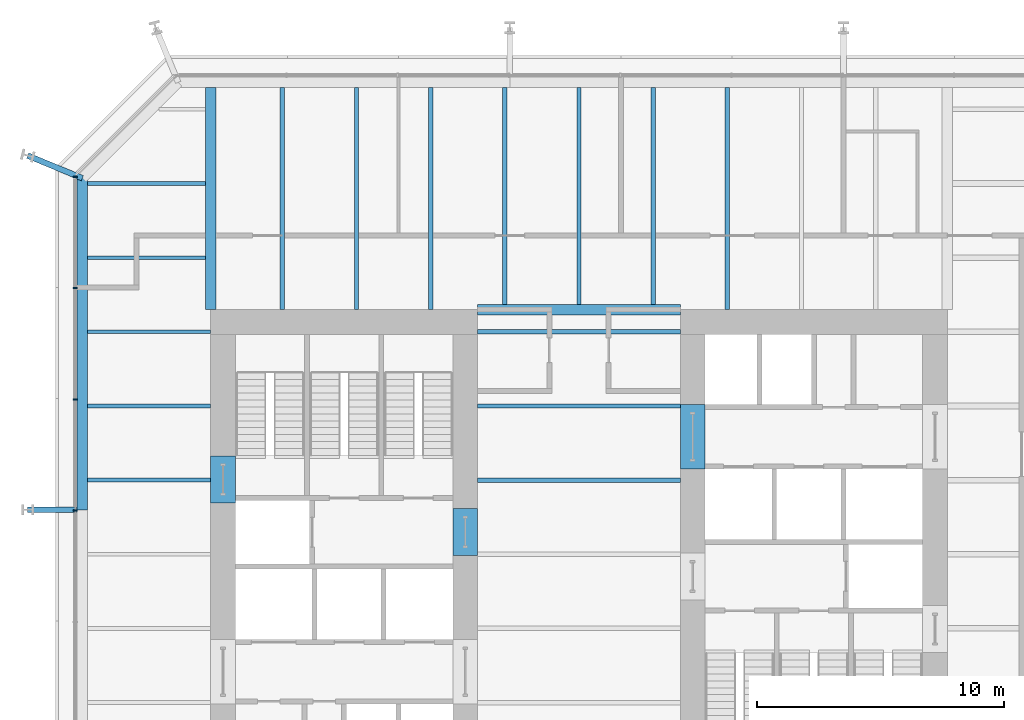
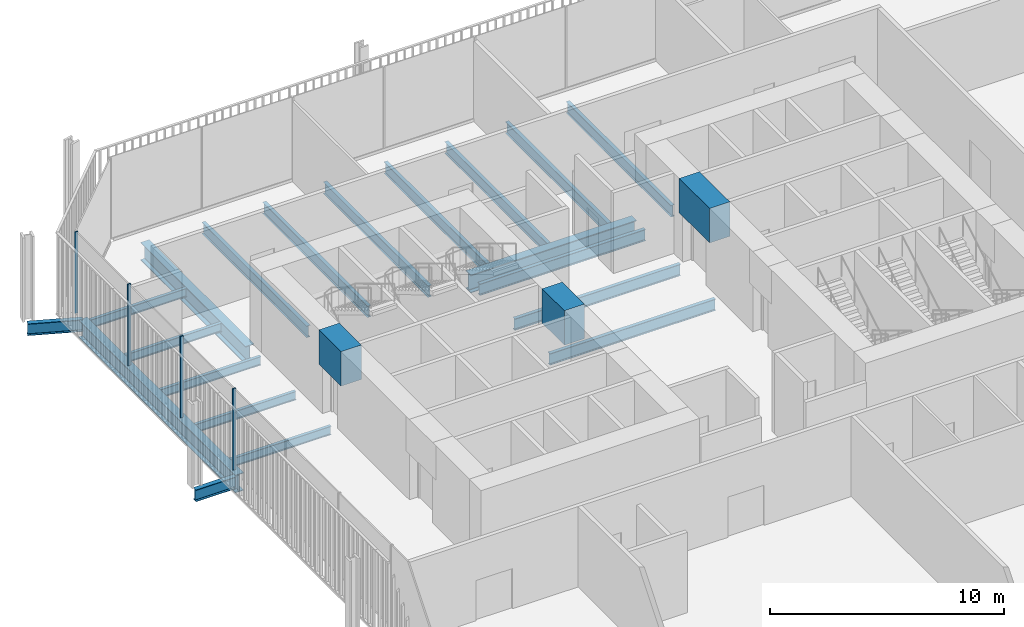
# One storey, part 11 of 20: 23 beams, 4 members, 1 element without a shape of its own.
"""IFC4 building model written with IfcOpenShell, lengths in metres."""

from ifc_helpers import new_model, si_unit, direction, frame, origin, origin_2d, place, context, subcontext, project, spatial, rectangle, i_section, extrude, material, layer, layer_set, material_profile, profile_set, type_object, element, aggregate, save


model = new_model("IFC4")

# Units and contexts
model_context = context("Model", 3, precision=1e-05, world=origin(), true_north=direction((0.0, 1.0)))
body_context = subcontext(model_context, "Body", "Model", "MODEL_VIEW")
ifc_project = project(units=[si_unit("LENGTHUNIT", "METRE"), si_unit("AREAUNIT", "SQUARE_METRE"), si_unit("VOLUMEUNIT", "CUBIC_METRE"), si_unit("PLANEANGLEUNIT", "RADIAN"), si_unit("MASSUNIT", "GRAM", prefix="KILO")], contexts=[model_context])

# Site, building, storey
site_placement = place(None, origin())
site = spatial("IfcSite", under=ifc_project, at=site_placement, CompositionType="ELEMENT")
building_placement = place(site_placement, origin())
building = spatial("IfcBuilding", under=site, at=building_placement, Name="Millrace Tower", CompositionType="ELEMENT")
storey_placement = place(building_placement, frame((0.0, 0.0, 77.60009765625)))
storey = spatial("IfcBuildingStorey", under=building, at=storey_placement, Name="L17", CompositionType="ELEMENT", Elevation=77.60009765625)

# Curtain wall, members
ifc_material_1 = material(Name="Aluminium and glass", Category="aluminium")
ifc_layer = layer(ifc_material_1, 0.14990234375)
ifc_layer_set = layer_set([ifc_layer], Name="Aluminium and glass")
curtain_wall_type = type_object("IfcCurtainWallType", Name="CW-3 telecom floor curtain wall", PredefinedType="NOTDEFINED", material=ifc_layer_set)
curtain_wall_placement = place(storey_placement, origin())
curtain_wall = element("IfcCurtainWall", 1, at=curtain_wall_placement, inside=storey, type_object=curtain_wall_type, Name="Curtain wall B-F08 L17", PredefinedType="NOTDEFINED")
ifc_material_2 = material(Name="Aluminium", Category="aluminium")
ifc_material_profile_1 = material_profile(ifc_material_2, rectangle(XDim=0.06494140625, YDim=0.14990234375, at=origin_2d()))
ifc_profile_set_1 = profile_set([ifc_material_profile_1], Name="Aluminium")
member_type = type_object("IfcMemberType", Name="CW-3 telecom floor curtain wall mullion", PredefinedType="MULLION", material=ifc_profile_set_1)
member_1_placement = place(storey_placement, frame((-20.375, 15.267578125, 0.14990234375), z_axis=(0.0, 0.0, 1.0), x_axis=(0.0, -1.0, 0.0)))
member_1 = element("IfcMember", 2, at=member_1_placement, type_object=member_type, Name="CW3 mullion B-F08.1", PredefinedType="MULLION", context=body_context, shape_type="SweptSolid", body=[
    extrude(rectangle(XDim=0.06494140625, YDim=0.14990234375, at=origin_2d()), origin(), (0.0, 0.0, 1.0), 4.25),
])
member_2_placement = place(storey_placement, frame((-20.375, 10.767578125, 0.14990234375), z_axis=(0.0, 0.0, 1.0), x_axis=(0.0, -1.0, 0.0)))
member_2 = element("IfcMember", 3, at=member_2_placement, type_object=member_type, Name="CW3 mullion B-F08.2", PredefinedType="MULLION", context=body_context, shape_type="SweptSolid", body=[
    extrude(rectangle(XDim=0.06494140625, YDim=0.14990234375, at=origin_2d()), origin(), (0.0, 0.0, 1.0), 4.25),
])
member_3_placement = place(storey_placement, frame((-20.375, 6.267578125, 0.14990234375), z_axis=(0.0, 0.0, 1.0), x_axis=(0.0, -1.0, 0.0)))
member_3 = element("IfcMember", 4, at=member_3_placement, type_object=member_type, Name="CW3 mullion B-F08.3", PredefinedType="MULLION", context=body_context, shape_type="SweptSolid", body=[
    extrude(rectangle(XDim=0.06494140625, YDim=0.14990234375, at=origin_2d()), origin(), (0.0, 0.0, 1.0), 4.25),
])
member_4_placement = place(storey_placement, frame((-20.375, 1.767578125, 0.14990234375), z_axis=(0.0, 0.0, 1.0), x_axis=(0.0, -1.0, 0.0)))
member_4 = element("IfcMember", 5, at=member_4_placement, type_object=member_type, Name="CW3 mullion B-F08.4", PredefinedType="MULLION", context=body_context, shape_type="SweptSolid", body=[
    extrude(rectangle(XDim=0.06494140625, YDim=0.14990234375, at=origin_2d()), origin(), (0.0, 0.0, 1.0), 4.25),
])
aggregate(curtain_wall, [member_1, member_2, member_3, member_4])

# Beams
ifc_material_3 = material(Name="Concrete C80", Category="concrete")
ifc_material_profile_2 = material_profile(ifc_material_3, rectangle(XDim=1.0, YDim=1.800048828125, at=origin_2d()))
ifc_profile_set_2 = profile_set([ifc_material_profile_2], Name="Concrete C80")
beam_type_1 = type_object("IfcBeamType", Name="Coupling beam 1000 x 1800 Concrete C80, 1300 opening", PredefinedType="BEAM", material=ifc_profile_set_2)
beam_1_placement = place(storey_placement, frame((-14.39990234375, 2.080078125, 3.2998046875), z_axis=(0.0, 1.0, 0.0), x_axis=(-1.0, 0.0, 0.0)))
element("IfcBeam", 6, at=beam_1_placement, inside=storey, type_object=beam_type_1, Name="Coupling beam W L17", PredefinedType="BEAM", context=body_context, shape_type="SweptSolid", body=[
    extrude(rectangle(XDim=1.0, YDim=1.800048828125, at=origin_2d()), origin(), (0.0, 0.0, 1.0), 1.89990234375),
])
beam_2_placement = place(storey_placement, frame((-4.60009765625, -0.050048828125, 3.2998046875), z_axis=(0.0, 1.0, 0.0), x_axis=(-1.0, 0.0, 0.0)))
element("IfcBeam", 7, at=beam_2_placement, inside=storey, type_object=beam_type_1, Name="Coupling beam W L17", PredefinedType="BEAM", context=body_context, shape_type="SweptSolid", body=[
    extrude(rectangle(XDim=1.0, YDim=1.800048828125, at=origin_2d()), origin(), (0.0, 0.0, 1.0), 1.900146484375),
])
ifc_material_4 = material(Name="Concrete C80", Category="concrete")
ifc_material_profile_3 = material_profile(ifc_material_4, rectangle(XDim=1.0, YDim=1.800048828125, at=origin_2d()))
ifc_profile_set_3 = profile_set([ifc_material_profile_3], Name="Concrete C80")
beam_type_2 = type_object("IfcBeamType", Name="Coupling beam 1000 x 1800 Concrete C80, 2000 opening", PredefinedType="BEAM", material=ifc_profile_set_3)
beam_3_placement = place(storey_placement, frame((4.60009765625, 6.050048828125, 3.2998046875), z_axis=(0.0, -1.0, 0.0), x_axis=(1.0, 0.0, 0.0)))
element("IfcBeam", 8, at=beam_3_placement, inside=storey, type_object=beam_type_2, Name="Coupling beam E L17", PredefinedType="BEAM", context=body_context, shape_type="SweptSolid", body=[
    extrude(rectangle(XDim=1.0, YDim=1.800048828125, at=origin_2d()), origin(), (0.0, 0.0, 1.0), 2.60009765625),
])
ifc_material_5 = material(Name="Steel ASTM A992 Grade 50", Category="steel")
ifc_material_profile_4 = material_profile(ifc_material_5, i_section(OverallWidth=0.15234375, OverallDepth=0.449462890625, WebThickness=0.007568359375, FlangeThickness=0.0107421875, FilletRadius=0.01025390625, at=origin_2d()))
ifc_profile_set_4 = profile_set([ifc_material_profile_4], Name="Steel ASTM A992 Grade 50")
beam_type_3 = type_object("IfcBeamType", Name="Floor beam W18x35", PredefinedType="JOIST", material=ifc_profile_set_4)
for number, where, z_axis, x_axis, name in (
    (9, (-19.880859375, 3.0, -0.4248046875), (1.0, 0.0, 0.0), (0.0, 1.0, 0.0), "BM-B-L17-S1-S026"),
    (10, (-19.880859375, 6.0, -0.4248046875), (1.0, 0.0, 0.0), (0.0, 1.0, 0.0), "BM-B-L17-S1-S029"),
    (11, (-19.880859375, 9.0, -0.4248046875), (1.0, 0.0, 0.0), (0.0, 1.0, 0.0), "BM-B-L17-S1-S032"),
):
    element("IfcBeam", number, at=place(storey_placement, frame(where, z_axis=z_axis, x_axis=x_axis)), inside=storey, type_object=beam_type_3, Name=name, PredefinedType="JOIST", context=body_context, shape_type="SweptSolid", body=[
        extrude(i_section(OverallWidth=0.15234375, OverallDepth=0.449462890625, WebThickness=0.007568359375, FlangeThickness=0.0107421875, FilletRadius=0.01025390625, at=origin_2d()), origin(), (0.0, 0.0, 1.0), 4.98095703125),
    ])
for number, where, z_axis, x_axis, name in (
    (12, (-19.880859375, 12.0, -0.4248046875), (1.0, 0.0, 0.0), (0.0, 1.0, 0.0), "BM-B-L17-S1-S034"),
    (13, (-19.880859375, 15.0, -0.4248046875), (1.0, 0.0, 0.0), (0.0, 1.0, 0.0), "BM-B-L17-S1-S036"),
):
    element("IfcBeam", number, at=place(storey_placement, frame(where, z_axis=z_axis, x_axis=x_axis)), inside=storey, type_object=beam_type_3, Name=name, PredefinedType="JOIST", context=body_context, shape_type="SweptSolid", body=[
        extrude(i_section(OverallWidth=0.15234375, OverallDepth=0.449462890625, WebThickness=0.007568359375, FlangeThickness=0.0107421875, FilletRadius=0.01025390625, at=origin_2d()), origin(), (0.0, 0.0, 1.0), 4.77001953125),
    ])
ifc_material_6 = material(Name="Steel ASTM A992 Grade 50", Category="steel")
ifc_material_profile_5 = material_profile(ifc_material_6, i_section(OverallWidth=0.177978515625, OverallDepth=0.599365234375, WebThickness=0.010009765625, FlangeThickness=0.012939453125, FilletRadius=0.012939453125, at=origin_2d()))
ifc_profile_set_5 = profile_set([ifc_material_profile_5], Name="Steel ASTM A992 Grade 50")
beam_type_4 = type_object("IfcBeamType", Name="Floor beam W24x55", PredefinedType="JOIST", material=ifc_profile_set_5)
for number, where, z_axis, x_axis, name in (
    (14, (-4.10009765625, 3.0, -0.499755859375), (1.0, 0.0, 0.0), (0.0, 1.0, 0.0), "BM-B-L17-S1-S025"),
    (15, (-4.10009765625, 6.0, -0.499755859375), (1.0, 0.0, 0.0), (0.0, 1.0, 0.0), "BM-B-L17-S1-S028"),
    (16, (-4.10009765625, 9.0, -0.499755859375), (1.0, 0.0, 0.0), (0.0, 1.0, 0.0), "BM-B-L17-S1-S031"),
):
    element("IfcBeam", number, at=place(storey_placement, frame(where, z_axis=z_axis, x_axis=x_axis)), inside=storey, type_object=beam_type_4, Name=name, PredefinedType="JOIST", context=body_context, shape_type="SweptSolid", body=[
        extrude(i_section(OverallWidth=0.177978515625, OverallDepth=0.599365234375, WebThickness=0.010009765625, FlangeThickness=0.012939453125, FilletRadius=0.012939453125, at=origin_2d()), origin(), (0.0, 0.0, 1.0), 8.2001953125),
    ])
for number, where, z_axis, x_axis, name in (
    (17, (-12.0, 9.89990234375, -0.499755859375), (0.0, 1.0, 0.0), (-1.0, 0.0, 0.0), "BM-B-L17-S1-S040"),
    (18, (-9.0, 9.89990234375, -0.499755859375), (0.0, 1.0, 0.0), (-1.0, 0.0, 0.0), "BM-B-L17-S1-S042"),
    (19, (-6.0, 9.89990234375, -0.499755859375), (0.0, 1.0, 0.0), (-1.0, 0.0, 0.0), "BM-B-L17-S1-S044"),
):
    element("IfcBeam", number, at=place(storey_placement, frame(where, z_axis=z_axis, x_axis=x_axis)), inside=storey, type_object=beam_type_4, Name=name, PredefinedType="JOIST", context=body_context, shape_type="SweptSolid", body=[
        extrude(i_section(OverallWidth=0.177978515625, OverallDepth=0.599365234375, WebThickness=0.010009765625, FlangeThickness=0.012939453125, FilletRadius=0.012939453125, at=origin_2d()), origin(), (0.0, 0.0, 1.0), 8.98095703125),
    ])
for number, where, z_axis, x_axis, name in (
    (20, (-3.0, 10.11083984375, -0.499755859375), (0.0, 1.0, 0.0), (-1.0, 0.0, 0.0), "BM-B-L17-S1-S046"),
    (21, (0.0, 10.11083984375, -0.499755859375), (0.0, 1.0, 0.0), (-1.0, 0.0, 0.0), "BM-B-L17-S1-S048"),
    (22, (3.0, 10.11083984375, -0.499755859375), (0.0, 1.0, 0.0), (-1.0, 0.0, 0.0), "BM-B-L17-S1-S050"),
):
    element("IfcBeam", number, at=place(storey_placement, frame(where, z_axis=z_axis, x_axis=x_axis)), inside=storey, type_object=beam_type_4, Name=name, PredefinedType="JOIST", context=body_context, shape_type="SweptSolid", body=[
        extrude(i_section(OverallWidth=0.177978515625, OverallDepth=0.599365234375, WebThickness=0.010009765625, FlangeThickness=0.012939453125, FilletRadius=0.012939453125, at=origin_2d()), origin(), (0.0, 0.0, 1.0), 8.77001953125),
    ])
beam_4_placement = place(storey_placement, frame((6.0, 9.89990234375, -0.499755859375), z_axis=(0.0, 1.0, 0.0), x_axis=(-1.0, 0.0, 0.0)))
element("IfcBeam", 23, at=beam_4_placement, inside=storey, type_object=beam_type_4, Name="BM-B-L17-S1-S052", PredefinedType="JOIST", context=body_context, shape_type="SweptSolid", body=[
    extrude(i_section(OverallWidth=0.177978515625, OverallDepth=0.599365234375, WebThickness=0.010009765625, FlangeThickness=0.012939453125, FilletRadius=0.012939453125, at=origin_2d()), origin(), (0.0, 0.0, 1.0), 8.98095703125),
])
ifc_material_7 = material(Name="Steel ASTM A992 Grade 50", Category="steel")
ifc_material_profile_6 = material_profile(ifc_material_7, i_section(OverallWidth=0.421630859375, OverallDepth=0.937255859375, WebThickness=0.021240234375, FlangeThickness=0.03662109375, FilletRadius=0.024169921875, at=origin_2d()))
ifc_profile_set_6 = profile_set([ifc_material_profile_6], Name="Steel ASTM A992 Grade 50")
beam_type_5 = type_object("IfcBeamType", Name="Girder short span W36x262", PredefinedType="BEAM", material=ifc_profile_set_6)
beam_5_placement = place(storey_placement, frame((-14.89990234375, 9.89990234375, -0.668701171875), z_axis=(0.0, 1.0, 0.0), x_axis=(-1.0, 0.0, 0.0)))
element("IfcBeam", 24, at=beam_5_placement, inside=storey, type_object=beam_type_5, Name="BM-B-L17-S1-G058", PredefinedType="BEAM", context=body_context, shape_type="SweptSolid", body=[
    extrude(i_section(OverallWidth=0.421630859375, OverallDepth=0.937255859375, WebThickness=0.021240234375, FlangeThickness=0.03662109375, FilletRadius=0.024169921875, at=origin_2d()), origin(), (0.0, 0.0, 1.0), 8.98095703125),
])
beam_6_placement = place(storey_placement, frame((-4.10009765625, 9.89990234375, -0.668701171875), z_axis=(1.0, 0.0, 0.0), x_axis=(0.0, 1.0, 0.0)))
element("IfcBeam", 25, at=beam_6_placement, inside=storey, type_object=beam_type_5, Name="BM-B-L17-S1-G062", PredefinedType="BEAM", context=body_context, shape_type="SweptSolid", body=[
    extrude(i_section(OverallWidth=0.421630859375, OverallDepth=0.937255859375, WebThickness=0.021240234375, FlangeThickness=0.03662109375, FilletRadius=0.024169921875, at=origin_2d()), origin(), (0.0, 0.0, 1.0), 8.2001953125),
])
ifc_material_8 = material(Name="Steel ASTM A992 Grade 50", Category="steel")
ifc_material_profile_7 = material_profile(ifc_material_8, i_section(OverallWidth=0.23046875, OverallDepth=0.6171875, WebThickness=0.01318359375, FlangeThickness=0.022216796875, FilletRadius=0.012939453125, at=origin_2d()))
ifc_profile_set_7 = profile_set([ifc_material_profile_7], Name="Steel ASTM A992 Grade 50")
beam_type_6 = type_object("IfcBeamType", Name="Link beam W24x94", PredefinedType="BEAM", material=ifc_profile_set_7)
beam_7_placement = place(storey_placement, frame((-20.300048828125, 1.800048828125, -0.5087890625), z_axis=(-1.0, 0.0, 0.0), x_axis=(0.0, -1.0, 0.0)))
element("IfcBeam", 26, at=beam_7_placement, inside=storey, type_object=beam_type_6, Name="LNK-B-L17-S1-03", PredefinedType="BEAM", context=body_context, shape_type="SweptSolid", body=[
    extrude(i_section(OverallWidth=0.23046875, OverallDepth=0.6171875, WebThickness=0.01318359375, FlangeThickness=0.022216796875, FilletRadius=0.012939453125, at=origin_2d()), origin(), (0.0, 0.0, 1.0), 2.0),
])
beam_8_placement = place(storey_placement, frame((-20.09033203125, 15.213134765625, -0.5087890625), z_axis=(-0.923881226989, 0.382679341507, 0.0), x_axis=(-0.382679341507, -0.923881226989, 0.0)))
element("IfcBeam", 27, at=beam_8_placement, inside=storey, type_object=beam_type_6, Name="LNK-B-L17-S1-04", PredefinedType="BEAM", context=body_context, shape_type="SweptSolid", body=[
    extrude(i_section(OverallWidth=0.23046875, OverallDepth=0.6171875, WebThickness=0.01318359375, FlangeThickness=0.022216796875, FilletRadius=0.012939453125, at=origin_2d()), origin(), (0.0, 0.0, 1.0), 2.391845703125),
])
ifc_material_9 = material(Name="Steel ASTM A992 Grade 50", Category="steel")
ifc_material_profile_8 = material_profile(ifc_material_9, i_section(OverallWidth=0.419189453125, OverallDepth=0.927001953125, WebThickness=0.019287109375, FlangeThickness=0.031982421875, FilletRadius=0.024169921875, at=origin_2d()))
ifc_profile_set_8 = profile_set([ifc_material_profile_8], Name="Steel ASTM A992 Grade 50")
beam_type_7 = type_object("IfcBeamType", Name="Ring beam medium span W36x231", PredefinedType="SPANDREL", material=ifc_profile_set_8)
beam_9_placement = place(storey_placement, frame((-20.09033203125, 1.800048828125, -0.66357421875), z_axis=(0.0, 1.0, 0.0), x_axis=(-1.0, 0.0, 0.0)))
element("IfcBeam", 28, at=beam_9_placement, inside=storey, type_object=beam_type_7, Name="RNG-B-L17-S1-03", PredefinedType="SPANDREL", context=body_context, shape_type="SweptSolid", body=[
    extrude(i_section(OverallWidth=0.419189453125, OverallDepth=0.927001953125, WebThickness=0.019287109375, FlangeThickness=0.031982421875, FilletRadius=0.024169921875, at=origin_2d()), origin(), (0.0, 0.0, 1.0), 13.4130859375),
])

save(model, "model.ifc")
